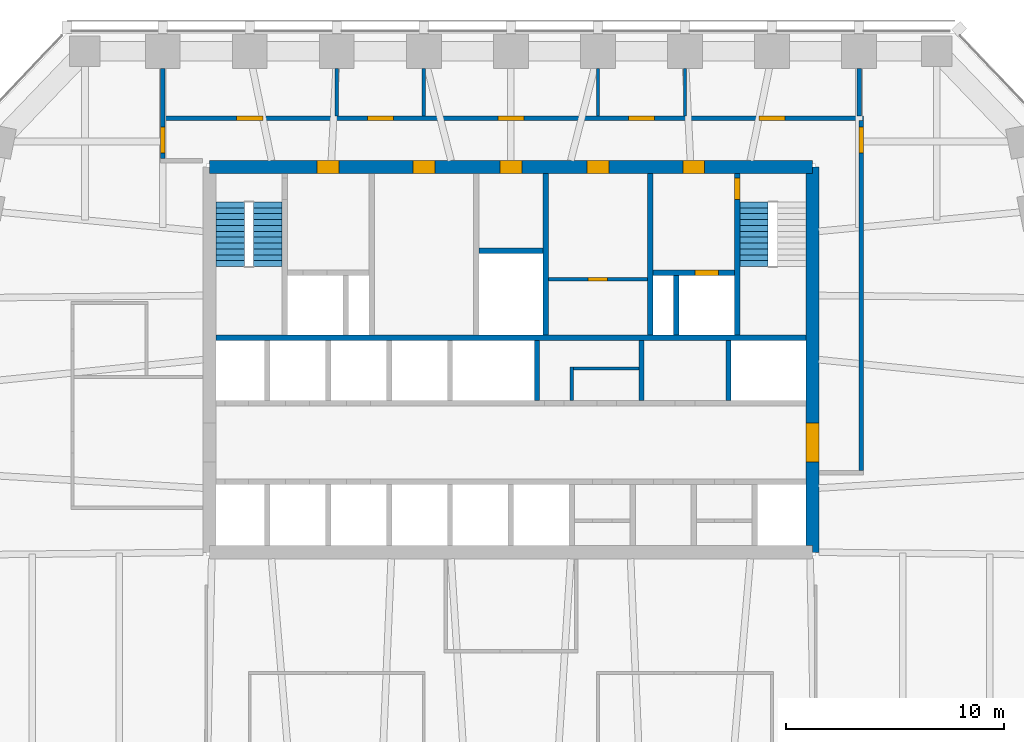
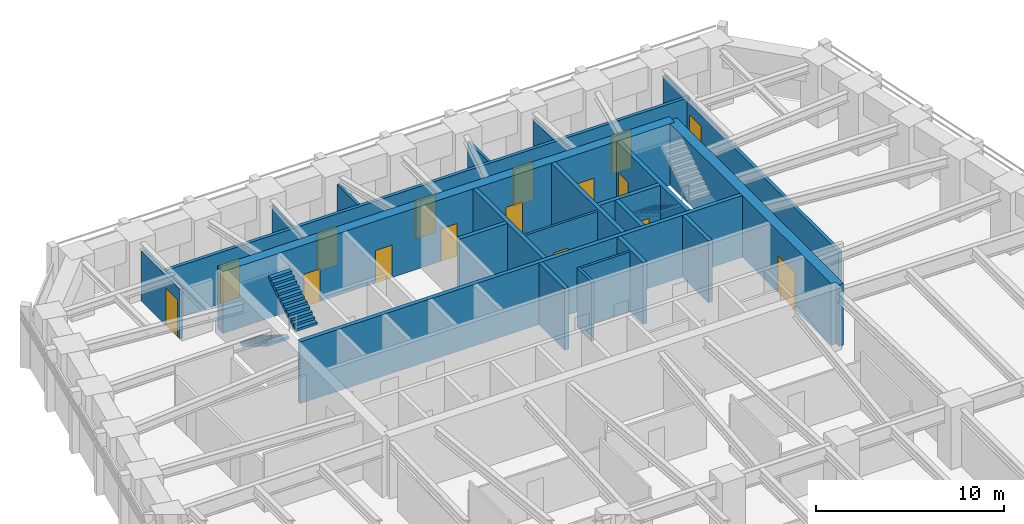
# One storey, part 7 of 10: 23 walls, 16 doors, 3 stair flights, 16 openings, 2 elements without a shape of their own.
"""IFC4 building model written with IfcOpenShell, lengths in metres."""

from ifc_helpers import new_model, si_unit, direction, frame, frame_2d, origin, place, context, subcontext, project, spatial, polyline, rectangle, outline, extrude, material, layer, layer_set, type_object, element, fill, aggregate, save


model = new_model("IFC4")

# Units and contexts
model_context = context("Model", 3, precision=1e-05, world=origin(), true_north=direction((0.0, 1.0)))
body_context = subcontext(model_context, "Body", "Model", "MODEL_VIEW")
ifc_project = project(units=[si_unit("LENGTHUNIT", "METRE"), si_unit("AREAUNIT", "SQUARE_METRE"), si_unit("VOLUMEUNIT", "CUBIC_METRE"), si_unit("PLANEANGLEUNIT", "RADIAN"), si_unit("MASSUNIT", "GRAM", prefix="KILO")], contexts=[model_context])

# Site, building, storey
site_placement = place(None, origin())
site = spatial("IfcSite", under=ifc_project, at=site_placement, CompositionType="ELEMENT")
building_placement = place(site_placement, origin())
building = spatial("IfcBuilding", under=site, at=building_placement, Name="Isbrekke Arena Tower", CompositionType="ELEMENT")
storey_placement = place(building_placement, frame((0.0, 0.0, 238.0)))
storey = spatial("IfcBuildingStorey", under=building, at=storey_placement, Name="L55", CompositionType="ELEMENT", Elevation=238.0)

# Wall, opening, door
ifc_material_1 = material(Name="Concrete B55 (C55/67)", Category="concrete")
ifc_layer_1 = layer(ifc_material_1, 0.60009765625)
ifc_layer_set_1 = layer_set([ifc_layer_1], Name="CW4 CORE WALL 600")
wall_type_1 = type_object("IfcWallType", Name="CW4 CORE WALL 600", PredefinedType="SHEAR", material=ifc_layer_set_1)
wall_1_placement = place(storey_placement, frame((13.85009765625, 6.14990234375, 0.0), z_axis=(0.0, 0.0, 1.0), x_axis=(0.0, 1.0, 0.0)))
wall_1 = element("IfcWall", 1, at=wall_1_placement, inside=storey, type_object=wall_type_1, Name="Core wall E L55", PredefinedType="SHEAR", context=body_context, shape_type="SweptSolid", body=[
    extrude(outline(polyline([(0.0, -0.300048828125), (17.7001953125, -0.300048828125), (17.7001953125, 0.0), (17.400146484375, 0.0), (17.400146484375, 0.300048828125), (0.300048828125, 0.300048828125), (0.300048828125, 0.0), (0.0, 0.0), (0.0, -0.300048828125)])), origin(), (0.0, 0.0, 1.0), 4.0),
])
opening_1_placement = place(wall_1_placement, frame((4.14990234375, 0.0, 0.0)))
opening_1 = element("IfcOpeningElement", 2, at=opening_1_placement, cuts=wall_1, Name="Opening D1", PredefinedType="OPENING", context=body_context, shape_type="SweptSolid", body=[
    extrude(rectangle(XDim=1.800048828125, YDim=2.39990234375, at=frame_2d((0.89990234375, 1.199951171875))), frame((0.0, 0.31494140625, 0.0), z_axis=(0.0, -1.0, 0.0), x_axis=(1.0, 0.0, 0.0)), (0.0, 0.0, 1.0), 0.6298828125),
])
ifc_material_2 = material(Name="Steel-framed glazed fire door", Category="steel")
door_type_1 = type_object("IfcDoorType", Name="D1 CORE LOBBY DOOR 1800 x 2400", OperationType="DOUBLE_DOOR_SINGLE_SWING", PredefinedType="DOOR", material=ifc_material_2)
door_1_placement = place(opening_1_placement, origin())
door_1 = element("IfcDoor", 3, at=door_1_placement, inside=storey, type_object=door_type_1, Name="D1 lift lobby door east L55", OperationType="DOUBLE_DOOR_SINGLE_SWING", OverallHeight=2.39990234375, OverallWidth=1.800048828125, PredefinedType="DOOR", context=body_context, shape_type="SweptSolid", body=[
    extrude(rectangle(XDim=1.800048828125, YDim=2.39990234375, at=frame_2d((0.89990234375, 1.199951171875))), frame((0.0, 0.2998046875, 0.0), z_axis=(0.0, -1.0, 0.0), x_axis=(1.0, 0.0, 0.0)), (0.0, 0.0, 1.0), 0.599609375),
])
fill(opening_1, door_1)

# Wall, openings, doors
wall_2_placement = place(storey_placement, frame((13.85009765625, 23.85009765625, 0.0), z_axis=(0.0, 0.0, 1.0), x_axis=(-1.0, 0.0, 0.0)))
wall_2 = element("IfcWall", 4, at=wall_2_placement, inside=storey, type_object=wall_type_1, Name="Core wall N L55", PredefinedType="SHEAR", context=body_context, shape_type="SweptSolid", body=[
    extrude(rectangle(XDim=27.7001953125, YDim=0.60009765625, at=frame_2d((13.85009765625, 0.0))), origin(), (0.0, 0.0, 1.0), 4.0),
])
opening_2_placement = place(wall_2_placement, frame((21.75, 0.0, 0.0)))
opening_2 = element("IfcOpeningElement", 5, at=opening_2_placement, cuts=wall_2, Name="Opening D3", PredefinedType="OPENING", context=body_context, shape_type="SweptSolid", body=[
    extrude(rectangle(XDim=1.0, YDim=2.10009765625, at=frame_2d((0.5, 1.050048828125))), frame((0.0, 0.31494140625, 0.0), z_axis=(0.0, -1.0, 0.0), x_axis=(1.0, 0.0, 0.0)), (0.0, 0.0, 1.0), 0.6298828125),
])
opening_3_placement = place(wall_2_placement, frame((4.949951171875, 0.0, 0.0)))
opening_3 = element("IfcOpeningElement", 6, at=opening_3_placement, cuts=wall_2, Name="Opening D3", PredefinedType="OPENING", context=body_context, shape_type="SweptSolid", body=[
    extrude(rectangle(XDim=1.0, YDim=2.10009765625, at=frame_2d((0.5, 1.050048828125))), frame((0.0, 0.31494140625, 0.0), z_axis=(0.0, -1.0, 0.0), x_axis=(1.0, 0.0, 0.0)), (0.0, 0.0, 1.0), 0.6298828125),
])
opening_4_placement = place(wall_2_placement, frame((17.35009765625, 0.0, 0.0)))
opening_4 = element("IfcOpeningElement", 7, at=opening_4_placement, cuts=wall_2, Name="Opening D4", PredefinedType="OPENING", context=body_context, shape_type="SweptSolid", body=[
    extrude(rectangle(XDim=1.0, YDim=2.10009765625, at=frame_2d((0.5, 1.050048828125))), frame((0.0, 0.31494140625, 0.0), z_axis=(0.0, -1.0, 0.0), x_axis=(1.0, 0.0, 0.0)), (0.0, 0.0, 1.0), 0.6298828125),
])
opening_5_placement = place(wall_2_placement, frame((13.35009765625, 0.0, 0.0)))
opening_5 = element("IfcOpeningElement", 8, at=opening_5_placement, cuts=wall_2, Name="Opening D4", PredefinedType="OPENING", context=body_context, shape_type="SweptSolid", body=[
    extrude(rectangle(XDim=1.0, YDim=2.10009765625, at=frame_2d((0.5, 1.050048828125))), frame((0.0, 0.31494140625, 0.0), z_axis=(0.0, -1.0, 0.0), x_axis=(1.0, 0.0, 0.0)), (0.0, 0.0, 1.0), 0.6298828125),
])
opening_6_placement = place(wall_2_placement, frame((9.35009765625, 0.0, 0.0)))
opening_6 = element("IfcOpeningElement", 9, at=opening_6_placement, cuts=wall_2, Name="Opening D4", PredefinedType="OPENING", context=body_context, shape_type="SweptSolid", body=[
    extrude(rectangle(XDim=1.0, YDim=2.10009765625, at=frame_2d((0.5, 1.050048828125))), frame((0.0, 0.31494140625, 0.0), z_axis=(0.0, -1.0, 0.0), x_axis=(1.0, 0.0, 0.0)), (0.0, 0.0, 1.0), 0.6298828125),
])
ifc_material_3 = material(Name="Steel fire door", Category="steel")
door_type_2 = type_object("IfcDoorType", Name="D3 FIRE LOBBY DOOR 1000 x 2100", OperationType="SINGLE_SWING_RIGHT", PredefinedType="DOOR", material=ifc_material_3)
door_2_placement = place(opening_2_placement, origin())
door_2 = element("IfcDoor", 10, at=door_2_placement, inside=storey, type_object=door_type_2, Name="D3 fire-fighting lobby door L55", OperationType="SINGLE_SWING_RIGHT", OverallHeight=2.10009765625, OverallWidth=1.0, PredefinedType="DOOR", context=body_context, shape_type="SweptSolid", body=[
    extrude(rectangle(XDim=1.0, YDim=2.10009765625, at=frame_2d((0.5, 1.050048828125))), frame((0.0, 0.2998046875, 0.0), z_axis=(0.0, -1.0, 0.0), x_axis=(1.0, 0.0, 0.0)), (0.0, 0.0, 1.0), 0.599609375),
])
fill(opening_2, door_2)
door_3_placement = place(opening_3_placement, origin())
door_3 = element("IfcDoor", 11, at=door_3_placement, inside=storey, type_object=door_type_2, Name="D3 fire-fighting lobby door L55", OperationType="SINGLE_SWING_RIGHT", OverallHeight=2.10009765625, OverallWidth=1.0, PredefinedType="DOOR", context=body_context, shape_type="SweptSolid", body=[
    extrude(rectangle(XDim=1.0, YDim=2.10009765625, at=frame_2d((0.5, 1.050048828125))), frame((0.0, 0.2998046875, 0.0), z_axis=(0.0, -1.0, 0.0), x_axis=(1.0, 0.0, 0.0)), (0.0, 0.0, 1.0), 0.599609375),
])
fill(opening_3, door_3)
ifc_material_4 = material(Name="Timber door", Category="wood")
door_type_3 = type_object("IfcDoorType", Name="D4 WC DOOR 1000 x 2100", OperationType="SINGLE_SWING_LEFT", PredefinedType="DOOR", material=ifc_material_4)
door_4_placement = place(opening_4_placement, origin())
door_4 = element("IfcDoor", 12, at=door_4_placement, inside=storey, type_object=door_type_3, Name="D4 wc female door L55", OperationType="SINGLE_SWING_LEFT", OverallHeight=2.10009765625, OverallWidth=1.0, PredefinedType="DOOR", context=body_context, shape_type="SweptSolid", body=[
    extrude(rectangle(XDim=1.0, YDim=2.10009765625, at=frame_2d((0.5, 1.050048828125))), frame((0.0, 0.2998046875, 0.0), z_axis=(0.0, -1.0, 0.0), x_axis=(1.0, 0.0, 0.0)), (0.0, 0.0, 1.0), 0.599609375),
])
fill(opening_4, door_4)
door_5_placement = place(opening_5_placement, origin())
door_5 = element("IfcDoor", 13, at=door_5_placement, inside=storey, type_object=door_type_3, Name="D4 accessible wc door L55", OperationType="SINGLE_SWING_LEFT", OverallHeight=2.10009765625, OverallWidth=1.0, PredefinedType="DOOR", context=body_context, shape_type="SweptSolid", body=[
    extrude(rectangle(XDim=1.0, YDim=2.10009765625, at=frame_2d((0.5, 1.050048828125))), frame((0.0, 0.2998046875, 0.0), z_axis=(0.0, -1.0, 0.0), x_axis=(1.0, 0.0, 0.0)), (0.0, 0.0, 1.0), 0.599609375),
])
fill(opening_5, door_5)
door_6_placement = place(opening_6_placement, origin())
door_6 = element("IfcDoor", 14, at=door_6_placement, inside=storey, type_object=door_type_3, Name="D4 wc male door L55", OperationType="SINGLE_SWING_LEFT", OverallHeight=2.10009765625, OverallWidth=1.0, PredefinedType="DOOR", context=body_context, shape_type="SweptSolid", body=[
    extrude(rectangle(XDim=1.0, YDim=2.10009765625, at=frame_2d((0.5, 1.050048828125))), frame((0.0, 0.2998046875, 0.0), z_axis=(0.0, -1.0, 0.0), x_axis=(1.0, 0.0, 0.0)), (0.0, 0.0, 1.0), 0.599609375),
])
fill(opening_6, door_6)

# Walls
ifc_material_5 = material(Name="Concrete B45 (C45/55)", Category="concrete")
ifc_layer_2 = layer(ifc_material_5, 0.25)
ifc_layer_set_2 = layer_set([ifc_layer_2], Name="CW6 SHAFT WALL 250")
wall_type_2 = type_object("IfcWallType", Name="CW6 SHAFT WALL 250", PredefinedType="SHEAR", material=ifc_layer_set_2)
wall_3_placement = place(storey_placement, frame((-13.550048828125, 16.0, 0.0), z_axis=(0.0, 0.0, 1.0), x_axis=(1.0, 0.0, 0.0)))
element("IfcWall", 15, at=wall_3_placement, inside=storey, type_object=wall_type_2, Name="Core wall NB L55", PredefinedType="SHEAR", context=body_context, shape_type="SweptSolid", body=[
    extrude(rectangle(XDim=27.10009765625, YDim=0.25, at=frame_2d((13.550048828125, 0.0))), origin(), (0.0, 0.0, 1.0), 4.0),
])
for number, where, z_axis, x_axis, name in (
    (16, (1.199951171875, 13.125, 0.0), (0.0, 0.0, 1.0), (0.0, 1.0, 0.0), "Core wall SN05 L55"),
    (17, (6.0, 13.125, 0.0), (0.0, 0.0, 1.0), (0.0, 1.0, 0.0), "Core wall SN06 L55"),
    (18, (10.0, 13.125, 0.0), (0.0, 0.0, 1.0), (0.0, 1.0, 0.0), "Core wall SN07 L55"),
):
    element("IfcWall", number, at=place(storey_placement, frame(where, z_axis=z_axis, x_axis=x_axis)), inside=storey, type_object=wall_type_2, Name=name, PredefinedType="SHEAR", context=body_context, shape_type="SweptSolid", body=[
        extrude(rectangle(XDim=2.75, YDim=0.25, at=frame_2d((1.375, 0.0))), origin(), (0.0, 0.0, 1.0), 4.0),
    ])
for number, where, z_axis, x_axis, name in (
    (19, (1.60009765625, 16.125, 0.0), (0.0, 0.0, 1.0), (0.0, 1.0, 0.0), "Core wall NV04 L55"),
    (20, (6.39990234375, 16.125, 0.0), (0.0, 0.0, 1.0), (0.0, 1.0, 0.0), "Core wall NV05 L55"),
):
    element("IfcWall", number, at=place(storey_placement, frame(where, z_axis=z_axis, x_axis=x_axis)), inside=storey, type_object=wall_type_2, Name=name, PredefinedType="SHEAR", context=body_context, shape_type="SweptSolid", body=[
        extrude(rectangle(XDim=7.425048828125, YDim=0.25, at=frame_2d((3.71240234375, 0.0))), origin(), (0.0, 0.0, 1.0), 4.0),
    ])

# Wall, opening, door
wall_4_placement = place(storey_placement, frame((10.39990234375, 16.125, 0.0), z_axis=(0.0, 0.0, 1.0), x_axis=(0.0, 1.0, 0.0)))
wall_4 = element("IfcWall", 21, at=wall_4_placement, inside=storey, type_object=wall_type_2, Name="Core wall NV06 L55", PredefinedType="SHEAR", context=body_context, shape_type="SweptSolid", body=[
    extrude(rectangle(XDim=7.425048828125, YDim=0.25, at=frame_2d((3.71240234375, 0.0))), origin(), (0.0, 0.0, 1.0), 4.0),
])
opening_7_placement = place(wall_4_placement, frame((6.22509765625, 0.0, 0.0)))
opening_7 = element("IfcOpeningElement", 22, at=opening_7_placement, cuts=wall_4, Name="Opening D2", PredefinedType="OPENING", context=body_context, shape_type="SweptSolid", body=[
    extrude(rectangle(XDim=1.0, YDim=2.10009765625, at=frame_2d((0.5, 1.050048828125))), frame((0.0, 0.139892578125, 0.0), z_axis=(0.0, -1.0, 0.0), x_axis=(1.0, 0.0, 0.0)), (0.0, 0.0, 1.0), 0.27978515625),
])
ifc_material_6 = material(Name="Steel fire door", Category="steel")
door_type_4 = type_object("IfcDoorType", Name="D2 STAIR DOOR 1000 x 2100", OperationType="SINGLE_SWING_LEFT", PredefinedType="DOOR", material=ifc_material_6)
door_7_placement = place(opening_7_placement, origin())
door_7 = element("IfcDoor", 23, at=door_7_placement, inside=storey, type_object=door_type_4, Name="D2 stair door ST2 L55", OperationType="SINGLE_SWING_LEFT", OverallHeight=2.10009765625, OverallWidth=1.0, PredefinedType="DOOR", context=body_context, shape_type="SweptSolid", body=[
    extrude(rectangle(XDim=1.0, YDim=2.10009765625, at=frame_2d((0.5, 1.050048828125))), frame((0.0, 0.124755859375, 0.0), z_axis=(0.0, -1.0, 0.0), x_axis=(1.0, 0.0, 0.0)), (0.0, 0.0, 1.0), 0.24951171875),
])
fill(opening_7, door_7)

wall_5_placement = place(storey_placement, frame((6.52490234375, 19.0, 0.0), z_axis=(0.0, 0.0, 1.0), x_axis=(1.0, 0.0, 0.0)))
wall_5 = element("IfcWall", 24, at=wall_5_placement, inside=storey, type_object=wall_type_2, Name="Core wall NFE L55", PredefinedType="SHEAR", context=body_context, shape_type="SweptSolid", body=[
    extrude(rectangle(XDim=3.75, YDim=0.25, at=frame_2d((1.875, 0.0))), origin(), (0.0, 0.0, 1.0), 4.0),
])
opening_8_placement = place(wall_5_placement, frame((1.925048828125, 0.0, 0.0)))
opening_8 = element("IfcOpeningElement", 25, at=opening_8_placement, cuts=wall_5, Name="Opening LD2", PredefinedType="OPENING", context=body_context, shape_type="SweptSolid", body=[
    extrude(rectangle(XDim=1.10009765625, YDim=2.10009765625, at=frame_2d((0.550048828125, 1.050048828125))), frame((0.0, 0.139892578125, 0.0), z_axis=(0.0, -1.0, 0.0), x_axis=(1.0, 0.0, 0.0)), (0.0, 0.0, 1.0), 0.27978515625),
])
ifc_material_7 = material(Name="Stainless steel lift landing door", Category="steel")
door_type_5 = type_object("IfcDoorType", Name="LD2 FIRE-FIGHTING LIFT LANDING DOOR 1100 x 2100", OperationType="SLIDING_TO_RIGHT", PredefinedType="DOOR", material=ifc_material_7)
door_8_placement = place(opening_8_placement, origin())
door_8 = element("IfcDoor", 26, at=door_8_placement, inside=storey, type_object=door_type_5, Name="LD2 lift landing door LF L55", OperationType="SLIDING_TO_RIGHT", OverallHeight=2.10009765625, OverallWidth=1.10009765625, PredefinedType="DOOR", context=body_context, shape_type="SweptSolid", body=[
    extrude(rectangle(XDim=1.10009765625, YDim=2.10009765625, at=frame_2d((0.550048828125, 1.050048828125))), frame((0.0, 0.124755859375, 0.0), z_axis=(0.0, -1.0, 0.0), x_axis=(1.0, 0.0, 0.0)), (0.0, 0.0, 1.0), 0.24951171875),
])
fill(opening_8, door_8)

# Walls
wall_6_placement = place(storey_placement, frame((7.60009765625, 16.125, 0.0), z_axis=(0.0, 0.0, 1.0), x_axis=(0.0, 1.0, 0.0)))
element("IfcWall", 27, at=wall_6_placement, inside=storey, type_object=wall_type_2, Name="Core wall NFS2 L55", PredefinedType="SHEAR", context=body_context, shape_type="SweptSolid", body=[
    extrude(rectangle(XDim=2.75, YDim=0.25, at=frame_2d((1.375, 0.0))), origin(), (0.0, 0.0, 1.0), 4.0),
])
wall_7_placement = place(storey_placement, frame((-1.47509765625, 20.0, 0.0), z_axis=(0.0, 0.0, 1.0), x_axis=(1.0, 0.0, 0.0)))
element("IfcWall", 28, at=wall_7_placement, inside=storey, type_object=wall_type_2, Name="Core wall NWC L55", PredefinedType="SHEAR", context=body_context, shape_type="SweptSolid", body=[
    extrude(rectangle(XDim=2.9501953125, YDim=0.25, at=frame_2d((1.47509765625, 0.0))), origin(), (0.0, 0.0, 1.0), 4.0),
])
ifc_material_8 = material(Name="Gypsum board partition on steel studs", Category="steel")
ifc_layer_3 = layer(ifc_material_8, 0.14990234375)
ifc_layer_set_3 = layer_set([ifc_layer_3], Name="IW1 PARTITION 150")
wall_type_3 = type_object("IfcWallType", Name="IW1 PARTITION 150", PredefinedType="PARTITIONING", material=ifc_layer_set_3)
for number, where, z_axis, x_axis, name in (
    (29, (-8.0, 26.199951171875, 0.0), (0.0, 0.0, 1.0), (0.0, 1.0, 0.0), "IW1 partition 150 L55"),
    (30, (-4.0, 26.199951171875, 0.0), (0.0, 0.0, 1.0), (0.0, 1.0, 0.0), "IW1 partition 150 L55"),
    (31, (4.0, 26.199951171875, 0.0), (0.0, 0.0, 1.0), (0.0, 1.0, 0.0), "IW1 partition 150 L55"),
    (32, (8.0, 26.199951171875, 0.0), (0.0, 0.0, 1.0), (0.0, 1.0, 0.0), "IW1 partition 150 L55"),
):
    element("IfcWall", number, at=place(storey_placement, frame(where, z_axis=z_axis, x_axis=x_axis)), inside=storey, type_object=wall_type_3, Name=name, PredefinedType="PARTITIONING", context=body_context, shape_type="SweptSolid", body=[
        extrude(rectangle(XDim=2.175048828125, YDim=0.14990234375, at=frame_2d((1.08740234375, 0.0))), origin(), (0.0, 0.0, 1.0), 3.318115234375),
    ])

# Wall, openings, doors
ifc_material_9 = material(Name="Gypsum board fire-cell wall on steel studs, two layers each side", Category="steel")
ifc_layer_4 = layer(ifc_material_9, 0.199951171875)
ifc_layer_set_4 = layer_set([ifc_layer_4], Name="IW3 FIRE-CELL WALL 200")
wall_type_4 = type_object("IfcWallType", Name="IW3 FIRE-CELL WALL 200", PredefinedType="PARTITIONING", material=ifc_layer_set_4)
wall_8_placement = place(storey_placement, frame((-15.89990234375, 26.10009765625, 0.0), z_axis=(0.0, 0.0, 1.0), x_axis=(1.0, 0.0, 0.0)))
wall_8 = element("IfcWall", 33, at=wall_8_placement, inside=storey, type_object=wall_type_4, Name="IW3 fire-cell wall 200 L55", PredefinedType="PARTITIONING", context=body_context, shape_type="SweptSolid", body=[
    extrude(rectangle(XDim=32.099853515625, YDim=0.199951171875, at=frame_2d((16.0498046875, 0.0))), origin(), (0.0, 0.0, 1.0), 3.318115234375),
])
opening_9_placement = place(wall_8_placement, frame((3.300048828125, 0.0, 0.0)))
opening_9 = element("IfcOpeningElement", 34, at=opening_9_placement, cuts=wall_8, Name="Opening D12", PredefinedType="OPENING", context=body_context, shape_type="SweptSolid", body=[
    extrude(rectangle(XDim=1.199951171875, YDim=2.39990234375, at=frame_2d((0.60009765625, 1.199951171875))), frame((0.0, 0.11474609375, 0.0), z_axis=(0.0, -1.0, 0.0), x_axis=(1.0, 0.0, 0.0)), (0.0, 0.0, 1.0), 0.229736328125),
])
opening_10_placement = place(wall_8_placement, frame((9.300048828125, 0.0, 0.0)))
opening_10 = element("IfcOpeningElement", 35, at=opening_10_placement, cuts=wall_8, Name="Opening D12", PredefinedType="OPENING", context=body_context, shape_type="SweptSolid", body=[
    extrude(rectangle(XDim=1.199951171875, YDim=2.39990234375, at=frame_2d((0.60009765625, 1.199951171875))), frame((0.0, 0.11474609375, 0.0), z_axis=(0.0, -1.0, 0.0), x_axis=(1.0, 0.0, 0.0)), (0.0, 0.0, 1.0), 0.229736328125),
])
opening_11_placement = place(wall_8_placement, frame((15.300048828125, 0.0, 0.0)))
opening_11 = element("IfcOpeningElement", 36, at=opening_11_placement, cuts=wall_8, Name="Opening D12", PredefinedType="OPENING", context=body_context, shape_type="SweptSolid", body=[
    extrude(rectangle(XDim=1.199951171875, YDim=2.39990234375, at=frame_2d((0.60009765625, 1.199951171875))), frame((0.0, 0.11474609375, 0.0), z_axis=(0.0, -1.0, 0.0), x_axis=(1.0, 0.0, 0.0)), (0.0, 0.0, 1.0), 0.229736328125),
])
opening_12_placement = place(wall_8_placement, frame((21.300048828125, 0.0, 0.0)))
opening_12 = element("IfcOpeningElement", 37, at=opening_12_placement, cuts=wall_8, Name="Opening D12", PredefinedType="OPENING", context=body_context, shape_type="SweptSolid", body=[
    extrude(rectangle(XDim=1.199951171875, YDim=2.39990234375, at=frame_2d((0.60009765625, 1.199951171875))), frame((0.0, 0.11474609375, 0.0), z_axis=(0.0, -1.0, 0.0), x_axis=(1.0, 0.0, 0.0)), (0.0, 0.0, 1.0), 0.229736328125),
])
opening_13_placement = place(wall_8_placement, frame((27.300048828125, 0.0, 0.0)))
opening_13 = element("IfcOpeningElement", 38, at=opening_13_placement, cuts=wall_8, Name="Opening D12", PredefinedType="OPENING", context=body_context, shape_type="SweptSolid", body=[
    extrude(rectangle(XDim=1.199951171875, YDim=2.39990234375, at=frame_2d((0.60009765625, 1.199951171875))), frame((0.0, 0.11474609375, 0.0), z_axis=(0.0, -1.0, 0.0), x_axis=(1.0, 0.0, 0.0)), (0.0, 0.0, 1.0), 0.229736328125),
])
ifc_material_10 = material(Name="Timber fire door with vision panel", Category="wood")
door_type_6 = type_object("IfcDoorType", Name="D12 SUITE ENTRANCE DOOR 1200 x 2400", OperationType="SINGLE_SWING_LEFT", PredefinedType="DOOR", material=ifc_material_10)
door_9_placement = place(opening_9_placement, origin())
door_9 = element("IfcDoor", 39, at=door_9_placement, inside=storey, type_object=door_type_6, Name="D12 executive office door L55", OperationType="SINGLE_SWING_LEFT", OverallHeight=2.39990234375, OverallWidth=1.199951171875, PredefinedType="DOOR", context=body_context, shape_type="SweptSolid", body=[
    extrude(rectangle(XDim=1.199951171875, YDim=2.39990234375, at=frame_2d((0.60009765625, 1.199951171875))), frame((0.0, 0.099609375, 0.0), z_axis=(0.0, -1.0, 0.0), x_axis=(1.0, 0.0, 0.0)), (0.0, 0.0, 1.0), 0.199462890625),
])
fill(opening_9, door_9)
door_10_placement = place(opening_10_placement, origin())
door_10 = element("IfcDoor", 40, at=door_10_placement, inside=storey, type_object=door_type_6, Name="D12 office door L55", OperationType="SINGLE_SWING_LEFT", OverallHeight=2.39990234375, OverallWidth=1.199951171875, PredefinedType="DOOR", context=body_context, shape_type="SweptSolid", body=[
    extrude(rectangle(XDim=1.199951171875, YDim=2.39990234375, at=frame_2d((0.60009765625, 1.199951171875))), frame((0.0, 0.099609375, 0.0), z_axis=(0.0, -1.0, 0.0), x_axis=(1.0, 0.0, 0.0)), (0.0, 0.0, 1.0), 0.199462890625),
])
fill(opening_10, door_10)
door_11_placement = place(opening_11_placement, origin())
door_11 = element("IfcDoor", 41, at=door_11_placement, inside=storey, type_object=door_type_6, Name="D12 meeting room door L55", OperationType="SINGLE_SWING_LEFT", OverallHeight=2.39990234375, OverallWidth=1.199951171875, PredefinedType="DOOR", context=body_context, shape_type="SweptSolid", body=[
    extrude(rectangle(XDim=1.199951171875, YDim=2.39990234375, at=frame_2d((0.60009765625, 1.199951171875))), frame((0.0, 0.099609375, 0.0), z_axis=(0.0, -1.0, 0.0), x_axis=(1.0, 0.0, 0.0)), (0.0, 0.0, 1.0), 0.199462890625),
])
fill(opening_11, door_11)
door_12_placement = place(opening_12_placement, origin())
door_12 = element("IfcDoor", 42, at=door_12_placement, inside=storey, type_object=door_type_6, Name="D12 office door L55", OperationType="SINGLE_SWING_LEFT", OverallHeight=2.39990234375, OverallWidth=1.199951171875, PredefinedType="DOOR", context=body_context, shape_type="SweptSolid", body=[
    extrude(rectangle(XDim=1.199951171875, YDim=2.39990234375, at=frame_2d((0.60009765625, 1.199951171875))), frame((0.0, 0.099609375, 0.0), z_axis=(0.0, -1.0, 0.0), x_axis=(1.0, 0.0, 0.0)), (0.0, 0.0, 1.0), 0.199462890625),
])
fill(opening_12, door_12)
door_13_placement = place(opening_13_placement, origin())
door_13 = element("IfcDoor", 43, at=door_13_placement, inside=storey, type_object=door_type_6, Name="D12 executive office door L55", OperationType="SINGLE_SWING_LEFT", OverallHeight=2.39990234375, OverallWidth=1.199951171875, PredefinedType="DOOR", context=body_context, shape_type="SweptSolid", body=[
    extrude(rectangle(XDim=1.199951171875, YDim=2.39990234375, at=frame_2d((0.60009765625, 1.199951171875))), frame((0.0, 0.099609375, 0.0), z_axis=(0.0, -1.0, 0.0), x_axis=(1.0, 0.0, 0.0)), (0.0, 0.0, 1.0), 0.199462890625),
])
fill(opening_13, door_13)

# Wall, opening, door
wall_9_placement = place(storey_placement, frame((-16.0, 24.25, 0.0), z_axis=(0.0, 0.0, 1.0), x_axis=(0.0, 1.0, 0.0)))
wall_9 = element("IfcWall", 44, at=wall_9_placement, inside=storey, type_object=wall_type_4, Name="IW3 fire-cell wall 200 L55", PredefinedType="PARTITIONING", context=body_context, shape_type="SweptSolid", body=[
    extrude(rectangle(XDim=4.125, YDim=0.199951171875, at=frame_2d((2.0625, 0.0))), origin(), (0.0, 0.0, 1.0), 3.22607421875),
])
opening_14_placement = place(wall_9_placement, frame((0.25, 0.0, 0.0)))
opening_14 = element("IfcOpeningElement", 45, at=opening_14_placement, cuts=wall_9, Name="Opening D12", PredefinedType="OPENING", context=body_context, shape_type="SweptSolid", body=[
    extrude(rectangle(XDim=1.199951171875, YDim=2.39990234375, at=frame_2d((0.60009765625, 1.199951171875))), frame((0.0, 0.11474609375, 0.0), z_axis=(0.0, -1.0, 0.0), x_axis=(1.0, 0.0, 0.0)), (0.0, 0.0, 1.0), 0.229736328125),
])
door_14_placement = place(opening_14_placement, origin())
door_14 = element("IfcDoor", 46, at=door_14_placement, inside=storey, type_object=door_type_6, Name="D12 suite entrance A door L55", OperationType="SINGLE_SWING_LEFT", OverallHeight=2.39990234375, OverallWidth=1.199951171875, PredefinedType="DOOR", context=body_context, shape_type="SweptSolid", body=[
    extrude(rectangle(XDim=1.199951171875, YDim=2.39990234375, at=frame_2d((0.60009765625, 1.199951171875))), frame((0.0, 0.099609375, 0.0), z_axis=(0.0, -1.0, 0.0), x_axis=(1.0, 0.0, 0.0)), (0.0, 0.0, 1.0), 0.199462890625),
])
fill(opening_14, door_14)

# Wall
wall_10_placement = place(storey_placement, frame((16.0, 26.199951171875, 0.0), z_axis=(0.0, 0.0, 1.0), x_axis=(0.0, 1.0, 0.0)))
element("IfcWall", 47, at=wall_10_placement, inside=storey, type_object=wall_type_4, Name="IW3 fire-cell wall 200 L55", PredefinedType="PARTITIONING", context=body_context, shape_type="SweptSolid", body=[
    extrude(rectangle(XDim=2.175048828125, YDim=0.199951171875, at=frame_2d((1.08740234375, 0.0))), origin(), (0.0, 0.0, 1.0), 3.318115234375),
])

# Wall, opening, door
wall_11_placement = place(storey_placement, frame((16.10009765625, 9.89990234375, 0.0), z_axis=(0.0, 0.0, 1.0), x_axis=(0.0, 1.0, 0.0)))
wall_11 = element("IfcWall", 48, at=wall_11_placement, inside=storey, type_object=wall_type_4, Name="IW3 fire-cell wall 200 L55", PredefinedType="PARTITIONING", context=body_context, shape_type="SweptSolid", body=[
    extrude(rectangle(XDim=16.10009765625, YDim=0.199951171875, at=frame_2d((8.050048828125, 0.0))), origin(), (0.0, 0.0, 1.0), 3.1298828125),
])
opening_15_placement = place(wall_11_placement, frame((14.60009765625, 0.0, 0.0)))
opening_15 = element("IfcOpeningElement", 49, at=opening_15_placement, cuts=wall_11, Name="Opening D12", PredefinedType="OPENING", context=body_context, shape_type="SweptSolid", body=[
    extrude(rectangle(XDim=1.199951171875, YDim=2.39990234375, at=frame_2d((0.60009765625, 1.199951171875))), frame((0.0, 0.11474609375, 0.0), z_axis=(0.0, -1.0, 0.0), x_axis=(1.0, 0.0, 0.0)), (0.0, 0.0, 1.0), 0.229736328125),
])
door_15_placement = place(opening_15_placement, origin())
door_15 = element("IfcDoor", 50, at=door_15_placement, inside=storey, type_object=door_type_6, Name="D12 suite entrance A door L55", OperationType="SINGLE_SWING_LEFT", OverallHeight=2.39990234375, OverallWidth=1.199951171875, PredefinedType="DOOR", context=body_context, shape_type="SweptSolid", body=[
    extrude(rectangle(XDim=1.199951171875, YDim=2.39990234375, at=frame_2d((0.60009765625, 1.199951171875))), frame((0.0, 0.099609375, 0.0), z_axis=(0.0, -1.0, 0.0), x_axis=(1.0, 0.0, 0.0)), (0.0, 0.0, 1.0), 0.199462890625),
])
fill(opening_15, door_15)

ifc_material_11 = material(Name="Gypsum board fire-rated partition on steel studs, two layers each side", Category="steel")
ifc_layer_5 = layer(ifc_material_11, 0.14990234375)
ifc_layer_set_5 = layer_set([ifc_layer_5], Name="IW5 FIRE-RATED PARTITION 150")
wall_type_5 = type_object("IfcWallType", Name="IW5 FIRE-RATED PARTITION 150", PredefinedType="PARTITIONING", material=ifc_layer_set_5)
wall_12_placement = place(storey_placement, frame((1.72509765625, 18.699951171875, 0.0), z_axis=(0.0, 0.0, 1.0), x_axis=(1.0, 0.0, 0.0)))
wall_12 = element("IfcWall", 51, at=wall_12_placement, inside=storey, type_object=wall_type_5, Name="IW5 fire-rated partition L55 cleaner's store M", PredefinedType="PARTITIONING", context=body_context, shape_type="SweptSolid", body=[
    extrude(rectangle(XDim=4.5498046875, YDim=0.14990234375, at=frame_2d((2.27490234375, 0.0))), origin(), (0.0, 0.0, 1.0), 3.85009765625),
])
opening_16_placement = place(wall_12_placement, frame((1.824951171875, 0.0, 0.0)))
opening_16 = element("IfcOpeningElement", 52, at=opening_16_placement, cuts=wall_12, Name="Opening D5", PredefinedType="OPENING", context=body_context, shape_type="SweptSolid", body=[
    extrude(rectangle(XDim=0.89990234375, YDim=2.10009765625, at=frame_2d((0.449951171875, 1.050048828125))), frame((0.0, 0.08984375, 0.0), z_axis=(0.0, -1.0, 0.0), x_axis=(1.0, 0.0, 0.0)), (0.0, 0.0, 1.0), 0.1796875),
])
ifc_material_12 = material(Name="Steel fire door", Category="steel")
door_type_7 = type_object("IfcDoorType", Name="D5 SERVICE DOOR 900 x 2100", OperationType="SINGLE_SWING_LEFT", PredefinedType="DOOR", material=ifc_material_12)
door_16_placement = place(opening_16_placement, origin())
door_16 = element("IfcDoor", 53, at=door_16_placement, inside=storey, type_object=door_type_7, Name="D5 cleaner's store door L55", OperationType="SINGLE_SWING_LEFT", OverallHeight=2.10009765625, OverallWidth=0.89990234375, PredefinedType="DOOR", context=body_context, shape_type="SweptSolid", body=[
    extrude(rectangle(XDim=0.89990234375, YDim=2.10009765625, at=frame_2d((0.449951171875, 1.050048828125))), frame((0.0, 0.07470703125, 0.0), z_axis=(0.0, -1.0, 0.0), x_axis=(1.0, 0.0, 0.0)), (0.0, 0.0, 1.0), 0.1494140625),
])
fill(opening_16, door_16)

# Walls
wall_13_placement = place(storey_placement, frame((2.800048828125, 13.125, 0.0), z_axis=(0.0, 0.0, 1.0), x_axis=(0.0, 1.0, 0.0)))
element("IfcWall", 54, at=wall_13_placement, inside=storey, type_object=wall_type_5, Name="IW5 fire-rated partition L55 core service rooms 1", PredefinedType="PARTITIONING", context=body_context, shape_type="SweptSolid", body=[
    extrude(rectangle(XDim=1.550048828125, YDim=0.14990234375, at=frame_2d((0.77490234375, 0.0))), origin(), (0.0, 0.0, 1.0), 3.85009765625),
])
wall_14_placement = place(storey_placement, frame((2.875, 14.60009765625, 0.0), z_axis=(0.0, 0.0, 1.0), x_axis=(1.0, 0.0, 0.0)))
element("IfcWall", 55, at=wall_14_placement, inside=storey, type_object=wall_type_5, Name="IW5 fire-rated partition L55 core service rooms 2", PredefinedType="PARTITIONING", context=body_context, shape_type="SweptSolid", body=[
    extrude(rectangle(XDim=3.0, YDim=0.14990234375, at=frame_2d((1.5, 0.0))), origin(), (0.0, 0.0, 1.0), 3.85009765625),
])

# Stair, stair flights
ifc_material_13 = material(Name="Concrete B45 (C45/55) precast", Category="concrete")
stair_type = type_object("IfcStairType", Name="ST40 STAIR 1300 WIDE, 24 RISERS 167", PredefinedType="HALF_TURN_STAIR", material=ifc_material_13)
stair_1_placement = place(storey_placement, origin())
stair_1 = element("IfcStair", 56, at=stair_1_placement, inside=storey, type_object=stair_type, Name="ST1 stair L55", PredefinedType="HALF_TURN_STAIR")
ifc_material_14 = material(Name="Concrete B45 (C45/55) precast", Category="concrete")
stair_flight_type = type_object("IfcStairFlightType", Name="SF 1300 FLIGHT", PredefinedType="STRAIGHT", material=ifc_material_14)
stair_flight_1_placement = place(storey_placement, frame((-12.89990234375, 22.25, 0.0), z_axis=(0.0, 0.0, 1.0), x_axis=(0.0, -1.0, 0.0)))
stair_flight_1 = element("IfcStairFlight", 57, at=stair_flight_1_placement, type_object=stair_flight_type, Name="ST1 flight 1", NumberOfRisers=12, NumberOfTreads=11, PredefinedType="STRAIGHT", RiserHeight=0.166666667, TreadLength=0.27, context=body_context, shape_type="SweptSolid", body=[
    extrude(outline(polyline([(0.0, 0.0), (0.0, 0.166748046875), (0.27001953125, 0.166748046875), (0.27001953125, 0.333251953125), (0.5400390625, 0.333251953125), (0.5400390625, 0.5), (0.81005859375, 0.5), (0.81005859375, 0.666748046875), (1.080078125, 0.666748046875), (1.080078125, 0.833251953125), (1.35009765625, 0.833251953125), (1.35009765625, 1.0), (1.6201171875, 1.0), (1.6201171875, 1.166748046875), (1.889892578125, 1.166748046875), (1.889892578125, 1.333251953125), (2.159912109375, 1.333251953125), (2.159912109375, 1.5), (2.429931640625, 1.5), (2.429931640625, 1.666748046875), (2.699951171875, 1.666748046875), (2.699951171875, 1.833251953125), (2.969970703125, 1.833251953125), (2.969970703125, 2.0), (2.969970703125, 1.6572265625), (0.285400390625, 0.0), (0.0, 0.0)])), frame((0.0, 0.64990234375, 0.0), z_axis=(0.0, -1.0, 0.0), x_axis=(1.0, 0.0, 0.0)), (0.0, 0.0, 1.0), 1.300048828125),
])
stair_flight_2_placement = place(storey_placement, frame((-11.175048828125, 19.280029296875, 2.0), z_axis=(0.0, 0.0, 1.0), x_axis=(0.0, 1.0, 0.0)))
stair_flight_2 = element("IfcStairFlight", 58, at=stair_flight_2_placement, type_object=stair_flight_type, Name="ST1 flight 2", NumberOfRisers=12, NumberOfTreads=11, PredefinedType="STRAIGHT", RiserHeight=0.166666667, TreadLength=0.27, context=body_context, shape_type="SweptSolid", body=[
    extrude(outline(polyline([(0.0, 0.0), (0.0, 0.166748046875), (0.27001953125, 0.166748046875), (0.27001953125, 0.333251953125), (0.5400390625, 0.333251953125), (0.5400390625, 0.5), (0.81005859375, 0.5), (0.81005859375, 0.666748046875), (1.080078125, 0.666748046875), (1.080078125, 0.833251953125), (1.35009765625, 0.833251953125), (1.35009765625, 1.0), (1.6201171875, 1.0), (1.6201171875, 1.166748046875), (1.889892578125, 1.166748046875), (1.889892578125, 1.333251953125), (2.159912109375, 1.333251953125), (2.159912109375, 1.5), (2.429931640625, 1.5), (2.429931640625, 1.666748046875), (2.699951171875, 1.666748046875), (2.699951171875, 1.833251953125), (2.969970703125, 1.833251953125), (2.969970703125, 2.0), (2.969970703125, 1.6572265625), (0.285400390625, 0.0), (0.0, 0.0)])), frame((0.0, 0.64990234375, 0.0), z_axis=(0.0, -1.0, 0.0), x_axis=(1.0, 0.0, 0.0)), (0.0, 0.0, 1.0), 1.300048828125),
])
aggregate(stair_1, [stair_flight_1, stair_flight_2])

# Stair, stair flight
stair_2_placement = place(storey_placement, origin())
stair_2 = element("IfcStair", 59, at=stair_2_placement, inside=storey, type_object=stair_type, Name="ST2 stair L55", PredefinedType="HALF_TURN_STAIR")
stair_flight_3_placement = place(storey_placement, frame((11.175048828125, 22.25, 0.0), z_axis=(0.0, 0.0, 1.0), x_axis=(0.0, -1.0, 0.0)))
stair_flight_3 = element("IfcStairFlight", 60, at=stair_flight_3_placement, type_object=stair_flight_type, Name="ST2 flight 1", NumberOfRisers=12, NumberOfTreads=11, PredefinedType="STRAIGHT", RiserHeight=0.166666667, TreadLength=0.27, context=body_context, shape_type="SweptSolid", body=[
    extrude(outline(polyline([(0.0, 0.0), (0.0, 0.166748046875), (0.27001953125, 0.166748046875), (0.27001953125, 0.333251953125), (0.5400390625, 0.333251953125), (0.5400390625, 0.5), (0.81005859375, 0.5), (0.81005859375, 0.666748046875), (1.080078125, 0.666748046875), (1.080078125, 0.833251953125), (1.35009765625, 0.833251953125), (1.35009765625, 1.0), (1.6201171875, 1.0), (1.6201171875, 1.166748046875), (1.889892578125, 1.166748046875), (1.889892578125, 1.333251953125), (2.159912109375, 1.333251953125), (2.159912109375, 1.5), (2.429931640625, 1.5), (2.429931640625, 1.666748046875), (2.699951171875, 1.666748046875), (2.699951171875, 1.833251953125), (2.969970703125, 1.833251953125), (2.969970703125, 2.0), (2.969970703125, 1.6572265625), (0.285400390625, 0.0), (0.0, 0.0)])), frame((0.0, 0.64990234375, 0.0), z_axis=(0.0, -1.0, 0.0), x_axis=(1.0, 0.0, 0.0)), (0.0, 0.0, 1.0), 1.300048828125),
])
aggregate(stair_2, [stair_flight_3])

save(model, "model.ifc")
